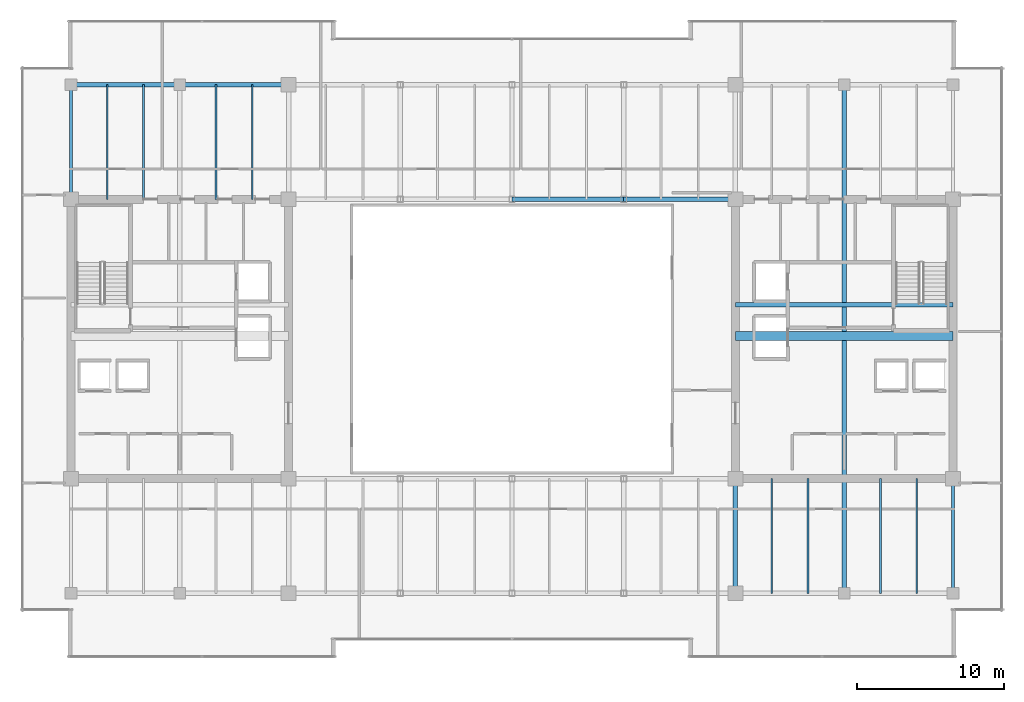
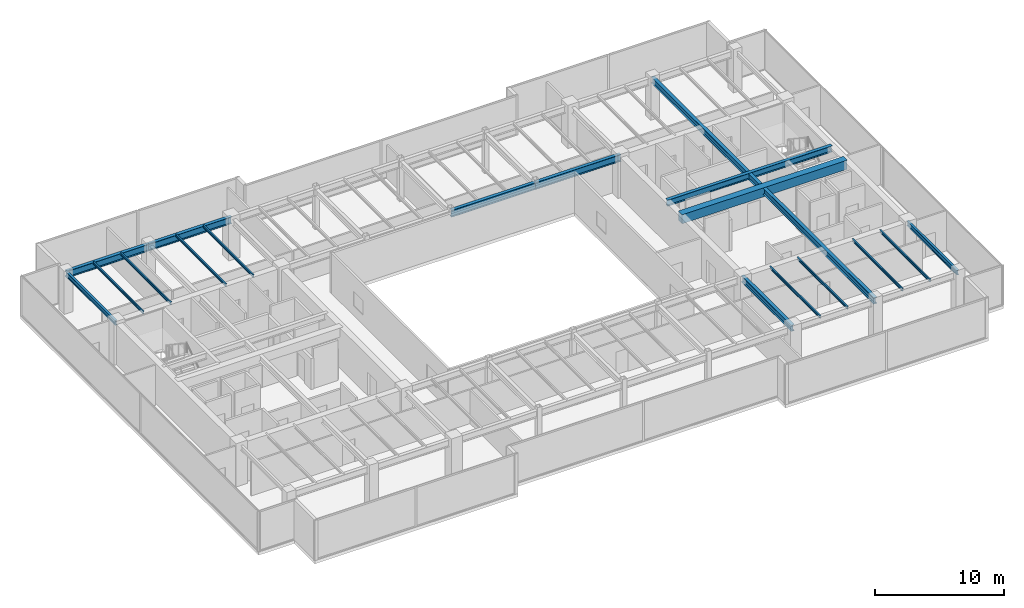
# One storey, part 14 of 33: 18 beams.
"""IFC4 building model written with IfcOpenShell, lengths in metres."""

from ifc_helpers import new_model, si_unit, direction, frame, origin, origin_2d, place, context, subcontext, project, spatial, rectangle, i_section, extrude, source, transform, mapped, material, material_profile, profile_set, type_object, type_shapes, element, save


model = new_model("IFC4")

# Units and contexts
model_context = context("Model", 3, precision=1e-05, world=origin(), true_north=direction((0.0, 1.0)))
body_context = subcontext(model_context, "Body", "Model", "MODEL_VIEW")
ifc_project = project(units=[si_unit("LENGTHUNIT", "METRE"), si_unit("AREAUNIT", "SQUARE_METRE"), si_unit("VOLUMEUNIT", "CUBIC_METRE"), si_unit("PLANEANGLEUNIT", "RADIAN"), si_unit("MASSUNIT", "GRAM", prefix="KILO")], contexts=[model_context])

# Site, building, storey
site_placement = place(None, origin())
site = spatial("IfcSite", under=ifc_project, at=site_placement, CompositionType="ELEMENT")
building_placement = place(site_placement, origin())
building = spatial("IfcBuilding", under=site, at=building_placement, Name="Haelvirn Gate Laboratories", CompositionType="ELEMENT")
storey_placement = place(building_placement, frame((0.0, 0.0, 275.199951171875)))
storey = spatial("IfcBuildingStorey", under=building, at=storey_placement, Name="L66", CompositionType="ELEMENT", Elevation=275.199951171875)

# Beams
ifc_material_1 = material(Name="Steel SM355", Category="steel")
ifc_material_profile_1 = material_profile(ifc_material_1, i_section(OverallWidth=0.300048828125, OverallDepth=0.587890625, WebThickness=0.011962890625, FlangeThickness=0.02001953125, at=origin_2d()), Name="H-588x300x12x20")
ifc_profile_set_1 = profile_set([ifc_material_profile_1], Name="Steel SM355")
beam_type_1 = type_object("IfcBeamType", Name="BM-G-588", PredefinedType="BEAM", material=ifc_profile_set_1)
shared_shape_1 = source(origin(), body_context, "Body", "SweptSolid", [
    extrude(i_section(OverallWidth=0.300048828125, OverallDepth=0.587890625, WebThickness=0.011962890625, FlangeThickness=0.02001953125, at=origin_2d()), origin(), (0.0, 0.0, 1.0), 14.7998046875),
])
beam_1_placement = place(storey_placement, frame((52.60009765625, 26.6201171875, 3.506103515625), z_axis=(1.0, 0.0, 0.0), x_axis=(0.0, 1.0, 0.0)))
element("IfcBeam", 1, at=beam_1_placement, inside=storey, type_object=beam_type_1, Name="L66 Stair ST2 Landing Header", PredefinedType="BEAM", context=body_context, shape_type="MappedRepresentation", body=[
    mapped(shared_shape_1, transform((0.0, 0.0, 0.0), scale=1.0)),
])
shared_shape_2 = source(origin(), body_context, "Body", "SweptSolid", [
    extrude(i_section(OverallWidth=0.300048828125, OverallDepth=0.587890625, WebThickness=0.011962890625, FlangeThickness=0.02001953125, at=origin_2d()), origin(), (0.0, 0.0, 1.0), 34.60009765625),
])
beam_2_placement = place(storey_placement, frame((60.0, 7.0, 3.506103515625), z_axis=(0.0, 1.0, 0.0), x_axis=(-1.0, 0.0, 0.0)))
element("IfcBeam", 2, at=beam_2_placement, inside=storey, type_object=beam_type_1, Name="L66 Frame Girder X60.0 (7.0-41.6)", PredefinedType="BEAM", context=body_context, shape_type="MappedRepresentation", body=[
    mapped(shared_shape_2, transform((0.0, 0.0, 0.0), scale=1.0)),
])
shared_shape_3 = source(origin(), body_context, "Body", "SweptSolid", [
    extrude(i_section(OverallWidth=0.300048828125, OverallDepth=0.587890625, WebThickness=0.011962890625, FlangeThickness=0.02001953125, at=origin_2d()), origin(), (0.0, 0.0, 1.0), 7.800048828125),
])
type_shapes(beam_type_1, [shared_shape_1, shared_shape_2, shared_shape_3])
beam_3_placement = place(storey_placement, frame((52.60009765625, 7.0, 3.506103515625), z_axis=(0.0, 1.0, 0.0), x_axis=(-1.0, 0.0, 0.0)))
element("IfcBeam", 3, at=beam_3_placement, inside=storey, type_object=beam_type_1, Name="L66 Frame Girder X52.6 (7.0-14.8)", PredefinedType="BEAM", context=body_context, shape_type="MappedRepresentation", body=[
    mapped(shared_shape_3, transform((0.0, 0.0, 0.0), scale=1.0)),
])
ifc_material_2 = material(Name="Concrete C50/60", Category="concrete")
ifc_material_profile_2 = material_profile(ifc_material_2, rectangle(XDim=0.60009765625, YDim=0.85009765625, at=origin_2d()), Name="RCB-600x850")
ifc_profile_set_2 = profile_set([ifc_material_profile_2], Name="Concrete C50/60")
beam_type_2 = type_object("IfcBeamType", Name="BM-RCB-850", PredefinedType="LINTEL", material=ifc_profile_set_2)
shared_shape_4 = source(origin(), body_context, "Body", "SweptSolid", [
    extrude(rectangle(XDim=0.60009765625, YDim=0.85009765625, at=origin_2d()), origin(), (0.0, 0.0, 1.0), 14.7998046875),
])
type_shapes(beam_type_2, [shared_shape_4])
beam_4_placement = place(storey_placement, frame((52.60009765625, 24.5, 3.375), z_axis=(1.0, 0.0, 0.0), x_axis=(0.0, 1.0, 0.0)))
element("IfcBeam", 4, at=beam_4_placement, inside=storey, type_object=beam_type_2, Name="L66 East Core Coupling Beam", PredefinedType="LINTEL", context=body_context, shape_type="MappedRepresentation", body=[
    mapped(shared_shape_4, transform((0.0, 0.0, 0.0), scale=1.0)),
])
ifc_material_profile_3 = material_profile(ifc_material_1, i_section(OverallWidth=0.300048828125, OverallDepth=0.64990234375, WebThickness=0.012939453125, FlangeThickness=0.02197265625, at=origin_2d()), Name="H-650x300x13x22")
ifc_profile_set_3 = profile_set([ifc_material_profile_3], Name="Steel SM355")
beam_type_3 = type_object("IfcBeamType", Name="BM-G-650", PredefinedType="BEAM", material=ifc_profile_set_3)
shared_shape_5 = source(origin(), body_context, "Body", "SweptSolid", [
    extrude(i_section(OverallWidth=0.300048828125, OverallDepth=0.64990234375, WebThickness=0.012939453125, FlangeThickness=0.02197265625, at=origin_2d()), origin(), (0.0, 0.0, 1.0), 7.400146484375),
])
beam_5_placement = place(storey_placement, frame((7.39990234375, 41.60009765625, 3.47509765625), z_axis=(1.0, 0.0, 0.0), x_axis=(0.0, 1.0, 0.0)))
element("IfcBeam", 5, at=beam_5_placement, inside=storey, type_object=beam_type_3, Name="L66 Primary Girder Y41.6 (7.4-14.8)", PredefinedType="BEAM", context=body_context, shape_type="MappedRepresentation", body=[
    mapped(shared_shape_5, transform((0.0, 0.0, 0.0), scale=1.0)),
])
shared_shape_6 = source(origin(), body_context, "Body", "SweptSolid", [
    extrude(i_section(OverallWidth=0.300048828125, OverallDepth=0.64990234375, WebThickness=0.012939453125, FlangeThickness=0.02197265625, at=origin_2d()), origin(), (0.0, 0.0, 1.0), 7.39990234375),
])
beam_6_placement = place(storey_placement, frame((14.800048828125, 41.60009765625, 3.47509765625), z_axis=(1.0, 0.0, 0.0), x_axis=(0.0, 1.0, 0.0)))
element("IfcBeam", 6, at=beam_6_placement, inside=storey, type_object=beam_type_3, Name="L66 Primary Girder Y41.6 (14.8-22.2)", PredefinedType="BEAM", context=body_context, shape_type="MappedRepresentation", body=[
    mapped(shared_shape_6, transform((0.0, 0.0, 0.0), scale=1.0)),
])
shared_shape_7 = source(origin(), body_context, "Body", "SweptSolid", [
    extrude(i_section(OverallWidth=0.300048828125, OverallDepth=0.64990234375, WebThickness=0.012939453125, FlangeThickness=0.02197265625, at=origin_2d()), origin(), (0.0, 0.0, 1.0), 7.60009765625),
])
type_shapes(beam_type_3, [shared_shape_5, shared_shape_6, shared_shape_7])
for number, where, z_axis, x_axis, name in (
    (7, (37.39990234375, 33.800048828125, 3.47509765625), (1.0, 0.0, 0.0), (0.0, 1.0, 0.0), "L66 Primary Girder Y33.8 (37.4-45.0)"),
    (8, (45.0, 33.800048828125, 3.47509765625), (1.0, 0.0, 0.0), (0.0, 1.0, 0.0), "L66 Primary Girder Y33.8 (45.0-52.6)"),
):
    element("IfcBeam", number, at=place(storey_placement, frame(where, z_axis=z_axis, x_axis=x_axis)), inside=storey, type_object=beam_type_3, Name=name, PredefinedType="BEAM", context=body_context, shape_type="MappedRepresentation", body=[
        mapped(shared_shape_7, transform((0.0, 0.0, 0.0), scale=1.0)),
    ])
ifc_material_profile_4 = material_profile(ifc_material_1, i_section(OverallWidth=0.199951171875, OverallDepth=0.449951171875, WebThickness=0.009033203125, FlangeThickness=0.013916015625, at=origin_2d()), Name="H-450x200x9x14")
ifc_profile_set_4 = profile_set([ifc_material_profile_4], Name="Steel SM355")
beam_type_4 = type_object("IfcBeamType", Name="BM-SP-450", PredefinedType="SPANDREL", material=ifc_profile_set_4)
shared_shape_8 = source(origin(), body_context, "Body", "SweptSolid", [
    extrude(i_section(OverallWidth=0.199951171875, OverallDepth=0.449951171875, WebThickness=0.009033203125, FlangeThickness=0.013916015625, at=origin_2d()), origin(), (0.0, 0.0, 1.0), 7.800048828125),
])
type_shapes(beam_type_4, [shared_shape_8])
for number, where, z_axis, x_axis, name in (
    (9, (7.39990234375, 33.800048828125, 3.574951171875), (0.0, 1.0, 0.0), (-1.0, 0.0, 0.0), "L66 Perimeter Spandrel X7.4 (33.8-41.6)"),
    (10, (67.39990234375, 7.0, 3.574951171875), (0.0, 1.0, 0.0), (-1.0, 0.0, 0.0), "L66 Perimeter Spandrel X67.4 (7.0-14.8)"),
):
    element("IfcBeam", number, at=place(storey_placement, frame(where, z_axis=z_axis, x_axis=x_axis)), inside=storey, type_object=beam_type_4, Name=name, PredefinedType="SPANDREL", context=body_context, shape_type="MappedRepresentation", body=[
        mapped(shared_shape_8, transform((0.0, 0.0, 0.0), scale=1.0)),
    ])
ifc_material_profile_5 = material_profile(ifc_material_1, i_section(OverallWidth=0.125, OverallDepth=0.25, WebThickness=0.006103515625, FlangeThickness=0.009033203125, at=origin_2d()), Name="H-250x125x6x9")
ifc_profile_set_5 = profile_set([ifc_material_profile_5], Name="Steel SM355")
beam_type_5 = type_object("IfcBeamType", Name="BM-J-250", PredefinedType="JOIST", material=ifc_profile_set_5)
shared_shape_9 = source(origin(), body_context, "Body", "SweptSolid", [
    extrude(i_section(OverallWidth=0.125, OverallDepth=0.25, WebThickness=0.006103515625, FlangeThickness=0.009033203125, at=origin_2d()), origin(), (0.0, 0.0, 1.0), 7.800048828125),
])
type_shapes(beam_type_5, [shared_shape_9])
for number, where, z_axis, x_axis, name in (
    (11, (9.8701171875, 33.800048828125, 3.675048828125), (0.0, 1.0, 0.0), (-1.0, 0.0, 0.0), "L66 Composite Lab Joist North X9.87"),
    (12, (12.330078125, 33.800048828125, 3.675048828125), (0.0, 1.0, 0.0), (-1.0, 0.0, 0.0), "L66 Composite Lab Joist North X12.33"),
    (13, (17.27001953125, 33.800048828125, 3.675048828125), (0.0, 1.0, 0.0), (-1.0, 0.0, 0.0), "L66 Composite Lab Joist North X17.27"),
    (14, (19.72998046875, 33.800048828125, 3.675048828125), (0.0, 1.0, 0.0), (-1.0, 0.0, 0.0), "L66 Composite Lab Joist North X19.73"),
    (15, (55.070068359375, 7.0, 3.675048828125), (0.0, 1.0, 0.0), (-1.0, 0.0, 0.0), "L66 Composite Lab Joist South X55.07"),
    (16, (57.530029296875, 7.0, 3.675048828125), (0.0, 1.0, 0.0), (-1.0, 0.0, 0.0), "L66 Composite Lab Joist South X57.53"),
    (17, (62.469970703125, 7.0, 3.675048828125), (0.0, 1.0, 0.0), (-1.0, 0.0, 0.0), "L66 Composite Lab Joist South X62.47"),
    (18, (64.929931640625, 7.0, 3.675048828125), (0.0, 1.0, 0.0), (-1.0, 0.0, 0.0), "L66 Composite Lab Joist South X64.93"),
):
    element("IfcBeam", number, at=place(storey_placement, frame(where, z_axis=z_axis, x_axis=x_axis)), inside=storey, type_object=beam_type_5, Name=name, PredefinedType="JOIST", context=body_context, shape_type="MappedRepresentation", body=[
        mapped(shared_shape_9, transform((0.0, 0.0, 0.0), scale=1.0)),
    ])

save(model, "model.ifc")
